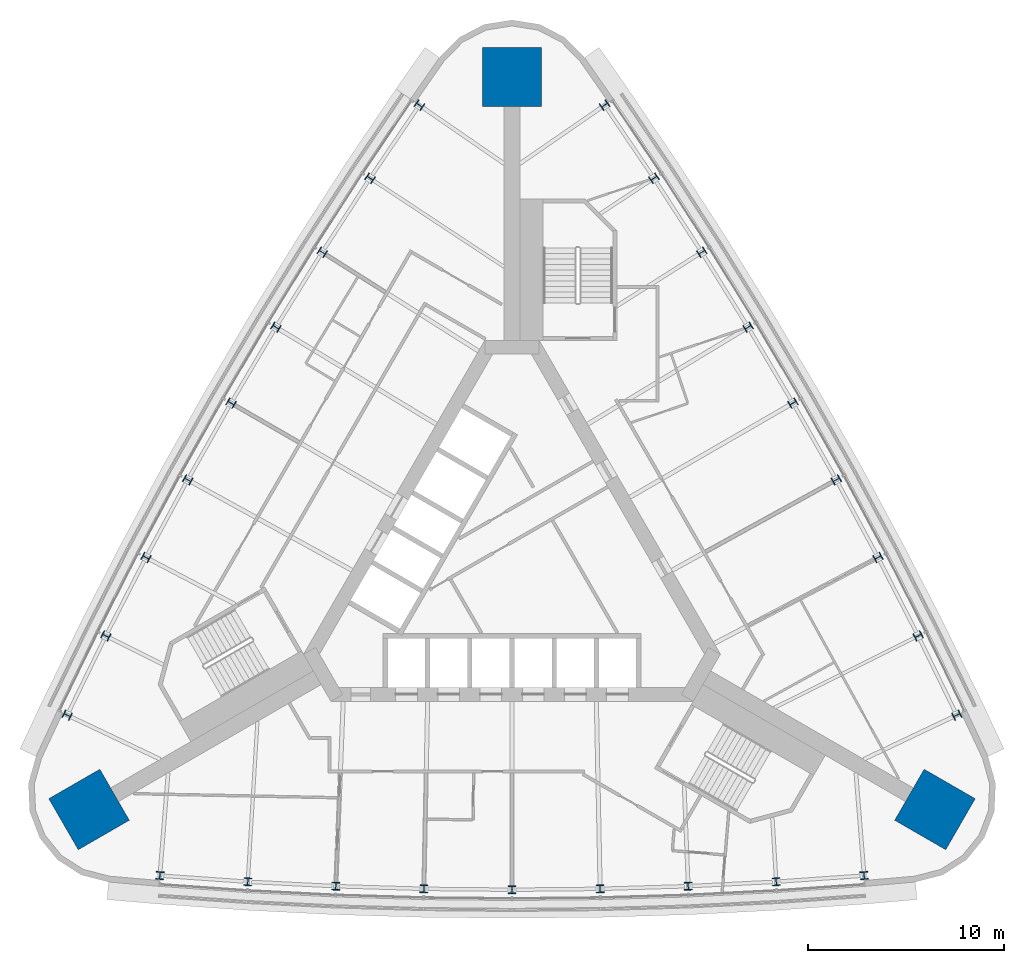
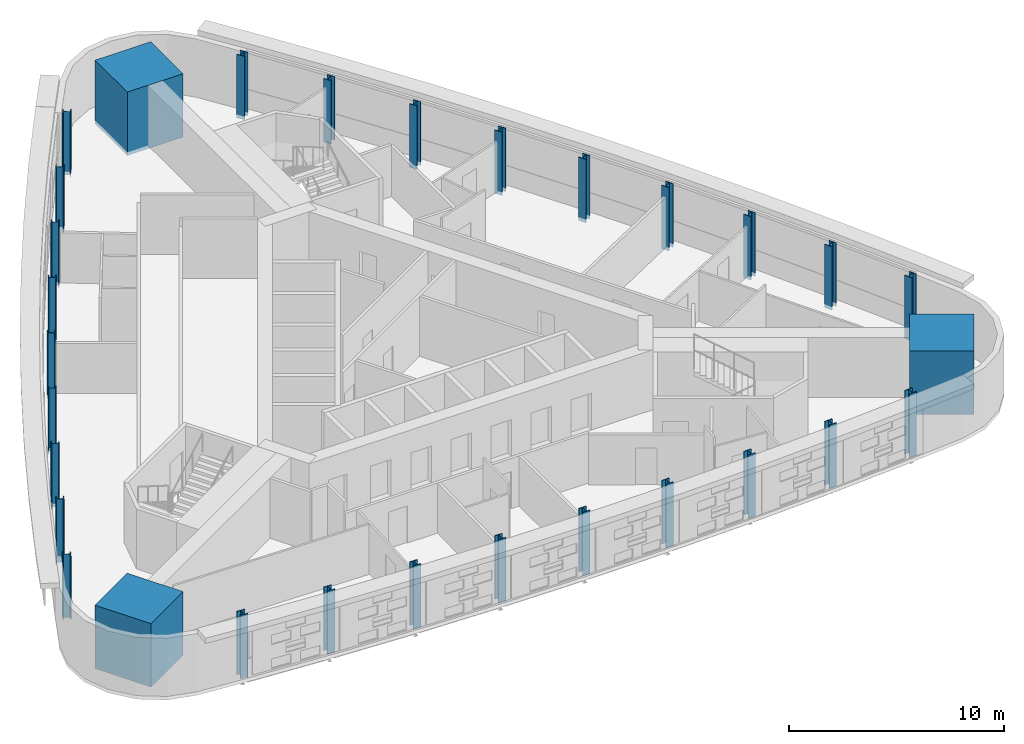
# One storey, part 1 of 11: 30 columns.
"""IFC4 building model written with IfcOpenShell, lengths in metres."""

from ifc_helpers import new_model, si_unit, direction, frame, origin, origin_2d, place, context, subcontext, project, spatial, rectangle, i_section, extrude, material, material_profile, profile_set, type_object, element, save


model = new_model("IFC4")

# Units and contexts
model_context = context("Model", 3, precision=1e-05, world=origin(), true_north=direction((0.0, 1.0)))
body_context = subcontext(model_context, "Body", "Model", "MODEL_VIEW")
ifc_project = project(units=[si_unit("LENGTHUNIT", "METRE"), si_unit("AREAUNIT", "SQUARE_METRE"), si_unit("VOLUMEUNIT", "CUBIC_METRE"), si_unit("PLANEANGLEUNIT", "RADIAN"), si_unit("MASSUNIT", "GRAM", prefix="KILO")], contexts=[model_context])

# Site, building, storey
site_placement = place(None, origin())
site = spatial("IfcSite", under=ifc_project, at=site_placement, CompositionType="ELEMENT")
building_placement = place(site_placement, origin())
building = spatial("IfcBuilding", under=site, at=building_placement, Name="Noor Cloister Tower", CompositionType="ELEMENT")
storey_placement = place(building_placement, frame((0.0, 0.0, 113.10009765625)))
storey = spatial("IfcBuildingStorey", under=building, at=storey_placement, Name="L29", CompositionType="ELEMENT", Elevation=113.10009765625)

# Columns
ifc_material_1 = material(Name="Steel ASTM A992 Gr 50", Category="steel")
ifc_material_profile_1 = material_profile(ifc_material_1, i_section(OverallWidth=0.40087890625, OverallDepth=0.39892578125, WebThickness=0.02490234375, FlangeThickness=0.03955078125, FilletRadius=0.015380859375, at=origin_2d()), Name="W360x314")
ifc_profile_set_1 = profile_set([ifc_material_profile_1], Name="Steel ASTM A992 Gr 50")
column_type_1 = type_object("IfcColumnType", Name="Column W360x314", PredefinedType="COLUMN", material=ifc_profile_set_1)
for number, where, z_axis, x_axis, name in (
    (1, (-4.71826171875, 23.435302734375, -0.2001953125), (0.0, 0.0, 1.0), (-0.567868358088, -0.823119388596, 0.0), "Column NW 01 L29"),
    (2, (-7.230224609375, 19.715087890625, -0.2001953125), (0.0, 0.0, 1.0), (-0.551227784266, -0.834354798544, 0.0), "Column NW 02 L29"),
    (3, (-9.666748046875, 15.945068359375, -0.2001953125), (0.0, 0.0, 1.0), (-0.534364986763, -0.845253844074, 0.0), "Column NW 03 L29"),
    (4, (-12.02734375, 12.126953125, -0.2001953125), (0.0, 0.0, 1.0), (-0.517286763685, -0.855812131321, 0.0), "Column NW 04 L29"),
    (5, (-14.310546875, 8.26220703125, -0.2001953125), (0.0, 0.0, 1.0), (-0.5, -0.866025403784, 0.0), "Column NW 05 L29"),
    (6, (-16.515869140625, 4.3525390625, -0.2001953125), (0.0, 0.0, 1.0), (-0.482511664749, -0.875889544053, 0.0), "Column NW 06 L29"),
    (7, (-18.642333984375, 0.399169921875, -0.2001953125), (0.0, 0.0, 1.0), (-0.464828808233, -0.885400575467, 0.0), "Column NW 07 L29"),
    (8, (-20.68896484375, -3.59619140625, -0.2001953125), (0.0, 0.0, 1.0), (-0.446958559175, -0.894554663718, 0.0), "Column NW 08 L29"),
    (9, (-22.65478515625, -7.631591796875, -0.2001953125), (0.0, 0.0, 1.0), (-0.428908121828, -0.903348118407, 0.0), "Column NW 09 L29"),
    (10, (-17.9365234375, -15.8037109375, -0.2001953125), (0.0, 0.0, 1.0), (0.996776479916, -0.080228729812, 0.0), "Column S 01 L29"),
    (11, (-13.458740234375, -16.119140625, -0.2001953125), (0.0, 0.0, 1.0), (0.998186343441, -0.060199865175, 0.0), "Column S 02 L29"),
    (12, (-8.9755859375, -16.34423828125, -0.2001953125), (0.0, 0.0, 1.0), (0.999193794996, -0.040146731393, 0.0), "Column S 03 L29"),
    (13, (-4.48876953125, -16.4794921875, -0.2001953125), (0.0, 0.0, 1.0), (0.999798428433, -0.020077412732, 0.0), "Column S 04 L29"),
    (14, (0.0, -16.5244140625, -0.2001953125), (0.0, 0.0, 1.0), (1.0, 0.0, 0.0), "Column S 05 L29"),
    (15, (4.48876953125, -16.4794921875, -0.2001953125), (0.0, 0.0, 1.0), (0.999798428433, 0.020077412732, 0.0), "Column S 06 L29"),
    (16, (8.9755859375, -16.34423828125, -0.2001953125), (0.0, 0.0, 1.0), (0.999193794996, 0.040146731393, 0.0), "Column S 07 L29"),
    (17, (13.458740234375, -16.119140625, -0.2001953125), (0.0, 0.0, 1.0), (0.998186343441, 0.060199865175, 0.0), "Column S 08 L29"),
    (18, (17.9365234375, -15.8037109375, -0.2001953125), (0.0, 0.0, 1.0), (0.996776479916, 0.080228729812, 0.0), "Column S 09 L29"),
    (19, (22.65478515625, -7.631591796875, -0.2001953125), (0.0, 0.0, 1.0), (-0.428908121828, 0.903348118407, 0.0), "Column NE 01 L29"),
    (20, (20.68896484375, -3.59619140625, -0.2001953125), (0.0, 0.0, 1.0), (-0.446958559175, 0.894554663718, 0.0), "Column NE 02 L29"),
    (21, (18.642333984375, 0.399169921875, -0.2001953125), (0.0, 0.0, 1.0), (-0.464828808233, 0.885400575467, 0.0), "Column NE 03 L29"),
    (22, (16.515869140625, 4.3525390625, -0.2001953125), (0.0, 0.0, 1.0), (-0.482511664749, 0.875889544053, 0.0), "Column NE 04 L29"),
    (23, (14.310546875, 8.26220703125, -0.2001953125), (0.0, 0.0, 1.0), (-0.5, 0.866025403784, 0.0), "Column NE 05 L29"),
    (24, (12.02734375, 12.126953125, -0.2001953125), (0.0, 0.0, 1.0), (-0.517286763685, 0.855812131321, 0.0), "Column NE 06 L29"),
    (25, (9.666748046875, 15.945068359375, -0.2001953125), (0.0, 0.0, 1.0), (-0.534364986763, 0.845253844074, 0.0), "Column NE 07 L29"),
    (26, (7.230224609375, 19.715087890625, -0.2001953125), (0.0, 0.0, 1.0), (-0.551227784266, 0.834354798544, 0.0), "Column NE 08 L29"),
    (27, (4.71826171875, 23.435302734375, -0.2001953125), (0.0, 0.0, 1.0), (-0.567868358088, 0.823119388596, 0.0), "Column NE 09 L29"),
):
    element("IfcColumn", number, at=place(storey_placement, frame(where, z_axis=z_axis, x_axis=x_axis)), inside=storey, type_object=column_type_1, Name=name, PredefinedType="COLUMN", context=body_context, shape_type="SweptSolid", body=[
        extrude(i_section(OverallWidth=0.40087890625, OverallDepth=0.39892578125, WebThickness=0.02490234375, FlangeThickness=0.03955078125, FilletRadius=0.015380859375, at=origin_2d()), origin(), (0.0, 0.0, 1.0), 3.60009765625),
    ])
ifc_material_2 = material(Name="Concrete C80/95", Category="concrete")
ifc_material_profile_2 = material_profile(ifc_material_2, rectangle(XDim=3.0, YDim=3.0, at=origin_2d()), Name="RC 3000x3000")
ifc_profile_set_2 = profile_set([ifc_material_profile_2], Name="Concrete C80/95")
column_type_2 = type_object("IfcColumnType", Name="Corner pier 3000 x 3000 C80/95", PredefinedType="COLUMN", material=ifc_profile_set_2)
for number, where, z_axis, x_axis, name in (
    (28, (0.0, 24.875, -0.2001953125), (0.0, 0.0, 1.0), (0.0, 1.0, 0.0), "Corner pier N L29"),
    (29, (-21.54248046875, -12.4375, -0.2001953125), (0.0, 0.0, 1.0), (-0.866025403784, -0.5, 0.0), "Corner pier SW L29"),
    (30, (21.54248046875, -12.4375, -0.2001953125), (0.0, 0.0, 1.0), (0.866025403784, -0.5, 0.0), "Corner pier SE L29"),
):
    element("IfcColumn", number, at=place(storey_placement, frame(where, z_axis=z_axis, x_axis=x_axis)), inside=storey, type_object=column_type_2, Name=name, PredefinedType="COLUMN", context=body_context, shape_type="SweptSolid", body=[
        extrude(rectangle(XDim=3.0, YDim=3.0, at=origin_2d()), origin(), (0.0, 0.0, 1.0), 3.60009765625),
    ])

save(model, "model.ifc")
